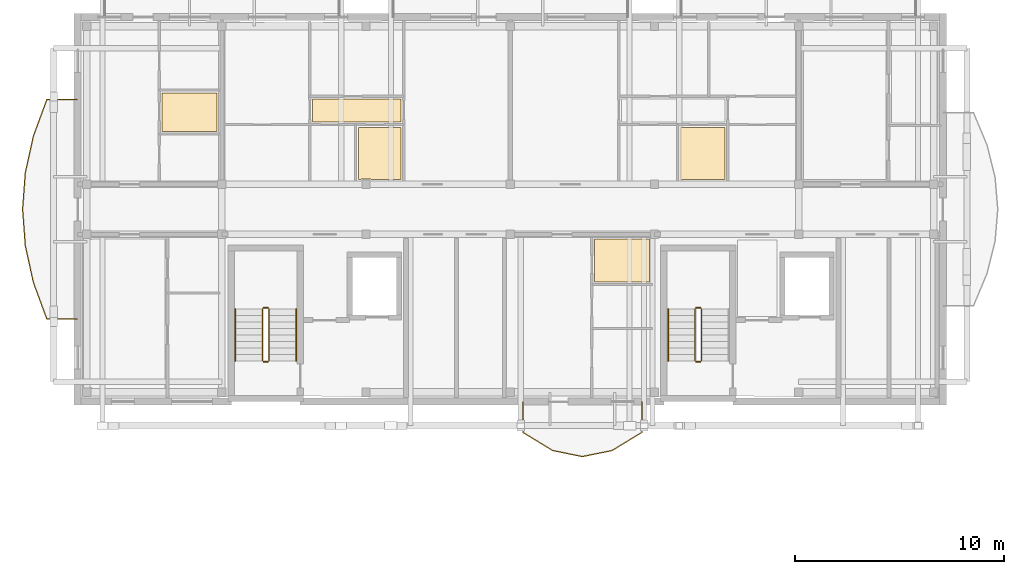
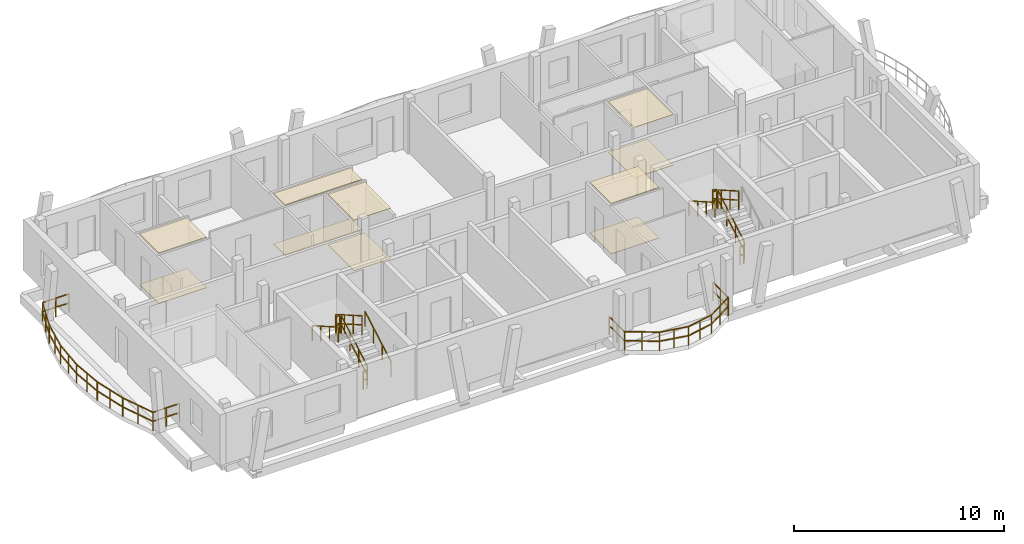
# One storey, part 36 of 41: 13 railings, 10 coverings.
"""IFC4 building model written with IfcOpenShell, lengths in metres."""

import ifcopenshell
import ifcopenshell.guid

model = None  # the IFC model being written
_history = None  # IfcOwnerHistory: only IFC2X3 demands one
_inside = {}  # id of a spatial element -> (the spatial element, [elements in it])
_under = {}  # id of a project, library or spatial element -> (it, [spatial elements below it])
_declared = {}  # id of a project -> (the project, [libraries it declares])
_typed = {}  # id of a type object -> (the type object, [elements of that type])
_made_of = {}  # id of a material, layer set ... -> (it, [elements and type objects made of it])


def new_model(schema):
    """Start an empty IFC model of exactly this schema.

    Asked for "IFC4X3", IfcOpenShell would pick the latest addendum, in which some entities
    have other attributes; the version numbers below select the first issue.
    IFC2X3 requires an IfcOwnerHistory on every rooted entity: one is made here for all.
    """
    global model, _history
    if schema == "IFC4X3":
        model = ifcopenshell.file(schema_version=(4, 3, 0, 0))
    else:
        model = ifcopenshell.file(schema=schema)
    _inside.clear()
    _under.clear()
    _declared.clear()
    _typed.clear()
    _made_of.clear()
    _history = None
    if model.schema == "IFC2X3":
        org = make("IfcOrganization", Name="unknown")
        user = make(
            "IfcPersonAndOrganization",
            ThePerson=make("IfcPerson", FamilyName="unknown"),
            TheOrganization=org,
        )
        app = make(
            "IfcApplication",
            ApplicationDeveloper=org,
            Version="unknown",
            ApplicationFullName="unknown",
            ApplicationIdentifier="unknown",
        )
        _history = make(
            "IfcOwnerHistory",
            OwningUser=user,
            OwningApplication=app,
            ChangeAction="ADDED",
            CreationDate=0,
        )
    return model


def make(cls, **values):
    """One entity of the class cls with the attributes given. An attribute that is None is left unset."""
    return model.create_entity(
        cls, **{name: value for name, value in values.items() if value is not None}
    )


def rooted(cls, **values):
    """An entity with a GlobalId (a new one), such as an element, a storey or a relation."""
    return make(cls, GlobalId=ifcopenshell.guid.new(), OwnerHistory=_history, **values)


def si_unit(unit_type, name, prefix=None):
    """IfcSIUnit, for example si_unit("LENGTHUNIT", "METRE", prefix="MILLI")."""
    return make("IfcSIUnit", UnitType=unit_type, Prefix=prefix, Name=name)


def assignment(units):
    """IfcUnitAssignment: the units of a project."""
    return None if units is None else make("IfcUnitAssignment", Units=units)


def point(xyz):
    """IfcCartesianPoint."""
    return None if xyz is None else make("IfcCartesianPoint", Coordinates=xyz)


def direction(xyz):
    """IfcDirection."""
    return None if xyz is None else make("IfcDirection", DirectionRatios=xyz)


def frame(location, z_axis=None, x_axis=None):
    """IfcAxis2Placement3D, a coordinate frame: its origin and axes. An axis left out is left unset."""
    return make(
        "IfcAxis2Placement3D",
        Location=point(location),
        Axis=direction(z_axis),
        RefDirection=direction(x_axis),
    )


def frame_2d(location, x_axis=None):
    """IfcAxis2Placement2D, a coordinate frame in the plane: its origin and x axis."""
    return make(
        "IfcAxis2Placement2D", Location=point(location), RefDirection=direction(x_axis)
    )


def origin():
    """The frame at (0, 0, 0) with its axes left unset."""
    return frame((0.0, 0.0, 0.0))


def origin_2d():
    """The frame at (0, 0) in the plane with its x axis left unset."""
    return frame_2d((0.0, 0.0))


def place(relative_to, where):
    """IfcLocalPlacement: puts the frame where relative to a parent placement (None: the world)."""
    return make(
        "IfcLocalPlacement", PlacementRelTo=relative_to, RelativePlacement=where
    )


def context(
    kind, dimensions, precision=None, world=None, true_north=None, identifier=None
):
    """IfcGeometricRepresentationContext, for example the 3D "Model" context."""
    return make(
        "IfcGeometricRepresentationContext",
        ContextIdentifier=identifier,
        ContextType=kind,
        CoordinateSpaceDimension=dimensions,
        Precision=precision,
        WorldCoordinateSystem=world,
        TrueNorth=true_north,
    )


def subcontext(parent, identifier, kind, view, scale=None):
    """IfcGeometricRepresentationSubContext, for example "Body" below "Model"."""
    return make(
        "IfcGeometricRepresentationSubContext",
        ContextIdentifier=identifier,
        ContextType=kind,
        ParentContext=parent,
        TargetScale=scale,
        TargetView=view,
    )


def project(units=None, contexts=None):
    """IfcProject with its units and contexts."""
    return rooted(
        "IfcProject",
        Name="project",
        RepresentationContexts=contexts,
        UnitsInContext=assignment(units),
    )


def spatial(cls, under=None, at=None, **own):
    """A site, building, storey or space (cls), placed at a placement, below another one or the project."""
    s = rooted(cls, ObjectPlacement=at, **own)
    if under is not None:
        _under.setdefault(under.id(), (under, []))[1].append(s)
    return s


def polyline(points):
    """IfcPolyline through the points."""
    return make("IfcPolyline", Points=[point(p) for p in points])


def profile(cls, at=None, kind="AREA", **sizes):
    """A parametric profile (cls). Its sizes go by their IFC names, for example OverallWidth=200.0."""
    return make(cls, ProfileType=kind, Position=at, **sizes)


def rectangle(**sizes):
    """IfcRectangleProfileDef."""
    return profile("IfcRectangleProfileDef", **sizes)


def outline(outer, holes=None, kind="AREA"):
    """IfcArbitraryClosedProfileDef: a profile drawn as a closed curve; with holes, ...WithVoids."""
    if holes is None:
        return make("IfcArbitraryClosedProfileDef", ProfileType=kind, OuterCurve=outer)
    return make(
        "IfcArbitraryProfileDefWithVoids",
        ProfileType=kind,
        OuterCurve=outer,
        InnerCurves=holes,
    )


def extrude(swept, where, along, depth):
    """IfcExtrudedAreaSolid: the profile swept, set in the frame where, extruded along a direction by depth."""
    return make(
        "IfcExtrudedAreaSolid",
        SweptArea=swept,
        Position=where,
        ExtrudedDirection=direction(along),
        Depth=depth,
    )


def shape(context_of_items, identifier, shape_type, items):
    """IfcShapeRepresentation: the items that make up one representation, for example the "Body"."""
    return make(
        "IfcShapeRepresentation",
        ContextOfItems=context_of_items,
        RepresentationIdentifier=identifier,
        RepresentationType=shape_type,
        Items=items,
    )


def material(Name=None, Category=None):
    """IfcMaterial."""
    return make("IfcMaterial", Name=Name, Category=Category)


def layer(
    of_material, thickness, ventilated=None, Name=None, Category=None, Priority=None
):
    """IfcMaterialLayer: one layer of a wall or slab, of a material (None: an air gap)."""
    return make(
        "IfcMaterialLayer",
        Material=of_material,
        LayerThickness=thickness,
        IsVentilated=ventilated,
        Name=Name,
        Category=Category,
        Priority=Priority,
    )


def layer_set(layers, Name=None):
    """IfcMaterialLayerSet."""
    return make("IfcMaterialLayerSet", MaterialLayers=layers, LayerSetName=Name)


def made_of(thing, what):
    """Note that an element or type object is made of a material, layer set ...; save() writes the relation."""
    if what is not None:
        _made_of.setdefault(what.id(), (what, []))[1].append(thing)
    return thing


def type_object(cls, material=None, **own):
    """A type object (cls), such as IfcWallType, which elements share."""
    return made_of(rooted(cls, **own), material)


def element(
    cls,
    number,
    at=None,
    inside=None,
    cuts=None,
    type_object=None,
    material=None,
    context=None,
    identifier="Body",
    shape_type=None,
    held_by="IfcProductDefinitionShape",
    body=None,
    shapes=None,
    **own,
):
    """One element of the class cls, such as IfcWall. Its Tag is "e" and its number.

    at: its placement. inside: the storey or other place that contains it. cuts: it is an
    opening in that element (IfcRelVoidsElement). A single representation is given by context,
    identifier, shape_type and body (its items); several are given by shapes. held_by: the class
    of the entity that holds the representations. save() writes the other relations.
    """
    e = rooted(cls, Tag="e%d" % number, ObjectPlacement=at, **own)
    if body is not None:
        shapes = [shape(context, identifier, shape_type, body)]
    if shapes is not None:
        e.Representation = make(held_by, Representations=shapes)
    if inside is not None:
        _inside.setdefault(inside.id(), (inside, []))[1].append(e)
    if cuts is not None:
        rooted(
            "IfcRelVoidsElement", RelatingBuildingElement=cuts, RelatedOpeningElement=e
        )
    if type_object is not None:
        _typed.setdefault(type_object.id(), (type_object, []))[1].append(e)
    return made_of(e, material)


def aggregate(whole, parts):
    """IfcRelAggregates: a whole, such as a stair, and the parts it consists of."""
    return rooted("IfcRelAggregates", RelatingObject=whole, RelatedObjects=parts)


def save(model, path):
    """Write the relations noted so far, then the file.

    IfcRelAggregates (storeys below a building ...), IfcRelContainedInSpatialStructure (elements
    in a storey), IfcRelDefinesByType, IfcRelAssociatesMaterial and IfcRelDeclares: one each for
    every whole, place, type object, material and project.
    """
    for whole, parts in _under.values():
        aggregate(whole, parts)
    for where, things in _inside.values():
        rooted(
            "IfcRelContainedInSpatialStructure",
            RelatedElements=things,
            RelatingStructure=where,
        )
    for kind, things in _typed.values():
        rooted("IfcRelDefinesByType", RelatedObjects=things, RelatingType=kind)
    for what, things in _made_of.values():
        rooted("IfcRelAssociatesMaterial", RelatedObjects=things, RelatingMaterial=what)
    for by, libraries in _declared.values():
        rooted("IfcRelDeclares", RelatingContext=by, RelatedDefinitions=libraries)
    model.write(path)


model = new_model("IFC4")

# Units and contexts
model_context = context("Model", 3, precision=1e-05, world=origin(), true_north=direction((0.0, 1.0)))
body_context = subcontext(model_context, "Body", "Model", "MODEL_VIEW")
ifc_project = project(units=[si_unit("LENGTHUNIT", "METRE"), si_unit("AREAUNIT", "SQUARE_METRE"), si_unit("VOLUMEUNIT", "CUBIC_METRE"), si_unit("PLANEANGLEUNIT", "RADIAN"), si_unit("MASSUNIT", "GRAM", prefix="KILO")], contexts=[model_context])

# Site, building, storey
site_placement = place(None, origin())
site = spatial("IfcSite", under=ifc_project, at=site_placement, CompositionType="ELEMENT")
building_placement = place(site_placement, origin())
building = spatial("IfcBuilding", under=site, at=building_placement, Name="Zavelmont Quarter", CompositionType="ELEMENT")
storey_placement = place(building_placement, frame((0.0, 0.0, 27.199951171875)))
storey = spatial("IfcBuildingStorey", under=building, at=storey_placement, Name="L08", CompositionType="ELEMENT", Elevation=27.199951171875)

# Coverings
ifc_material_1 = material(Name="Perforated acoustic gypsum board")
ifc_layer_1 = layer(ifc_material_1, 0.02490234375)
ifc_layer_set_1 = layer_set([ifc_layer_1], Name="Perforated acoustic gypsum board")
covering_type_1 = type_object("IfcCoveringType", Name="CV-CL01", PredefinedType="CEILING", material=ifc_layer_set_1)
covering_1_placement = place(storey_placement, frame((0.0, 0.0, 2.93505859375)))
element("IfcCovering", 1, at=covering_1_placement, inside=storey, type_object=covering_type_1, Name="L08 Kitchen acoustic ceiling", PredefinedType="CEILING", context=body_context, shape_type="SweptSolid", body=[
    extrude(outline(polyline([(13.429931640625, 110.719970703125), (15.469970703125, 110.719970703125), (15.469970703125, 108.22998046875), (14.0400390625, 108.22998046875), (14.0400390625, 108.239990234375), (13.56005859375, 108.239990234375), (13.56005859375, 108.22998046875), (13.429931640625, 108.22998046875), (13.429931640625, 110.719970703125)])), origin(), (0.0, 0.0, 1.0), 0.02490234375),
])
covering_2_placement = place(storey_placement, frame((0.0, 0.0, 2.93505859375)))
element("IfcCovering", 2, at=covering_2_placement, inside=storey, type_object=covering_type_1, Name="L08 Kitchen acoustic ceiling", PredefinedType="CEILING", context=body_context, shape_type="SweptSolid", body=[
    extrude(outline(polyline([(24.72998046875, 105.3701171875), (27.360107421875, 105.3701171875), (27.360107421875, 105.360107421875), (27.3701171875, 105.360107421875), (27.3701171875, 103.330078125), (24.72998046875, 103.330078125), (24.72998046875, 105.3701171875)])), origin(), (0.0, 0.0, 1.0), 0.02490234375),
])
ifc_material_2 = material(Name="Slatted European ash acoustic baffle ceiling")
ifc_layer_2 = layer(ifc_material_2, 0.0400390625)
ifc_layer_set_2 = layer_set([ifc_layer_2], Name="Slatted European ash acoustic baffle ceiling")
covering_type_2 = type_object("IfcCoveringType", Name="CV-CL02", PredefinedType="CEILING", material=ifc_layer_set_2)
covering_3_placement = place(storey_placement, frame((0.0, 0.0, 2.920166015625)))
element("IfcCovering", 3, at=covering_3_placement, inside=storey, type_object=covering_type_2, Name="L08 Apartment Hall acoustic ceiling", PredefinedType="CEILING", context=body_context, shape_type="SweptSolid", body=[
    extrude(outline(polyline([(11.22998046875, 112.070068359375), (15.469970703125, 112.070068359375), (15.469970703125, 110.97998046875), (11.22998046875, 110.97998046875), (11.22998046875, 112.070068359375)])), origin(), (0.0, 0.0, 1.0), 0.039794921875),
])
ifc_material_3 = material(Name="Moisture-resistant painted gypsum ceiling")
ifc_layer_3 = layer(ifc_material_3, 0.02001953125)
ifc_layer_set_3 = layer_set([ifc_layer_3], Name="Moisture-resistant painted gypsum ceiling")
covering_type_3 = type_object("IfcCoveringType", Name="CV-CL04", PredefinedType="CEILING", material=ifc_layer_set_3)
covering_4_placement = place(storey_placement, frame((0.0, 0.0, 2.93994140625)))
element("IfcCovering", 4, at=covering_4_placement, inside=storey, type_object=covering_type_3, Name="L08 Bathroom acoustic ceiling", PredefinedType="CEILING", context=body_context, shape_type="SweptSolid", body=[
    extrude(outline(polyline([(4.030029296875, 112.3701171875), (6.669921875, 112.3701171875), (6.669921875, 110.530029296875), (4.030029296875, 110.530029296875), (4.030029296875, 112.3701171875)])), origin(), (0.0, 0.0, 1.0), 0.02001953125),
])
covering_5_placement = place(storey_placement, frame((0.0, 0.0, 2.93994140625)))
element("IfcCovering", 5, at=covering_5_placement, inside=storey, type_object=covering_type_3, Name="L08 Bathroom acoustic ceiling", PredefinedType="CEILING", context=body_context, shape_type="SweptSolid", body=[
    extrude(outline(polyline([(28.830078125, 110.719970703125), (30.969970703125, 110.719970703125), (30.969970703125, 108.22998046875), (28.830078125, 108.22998046875), (28.830078125, 110.719970703125)])), origin(), (0.0, 0.0, 1.0), 0.02001953125),
])
ifc_material_4 = material(Name="Engineered European oak parquet")
ifc_layer_4 = layer(ifc_material_4, 0.02197265625)
ifc_layer_set_4 = layer_set([ifc_layer_4], Name="Engineered European oak parquet")
covering_type_4 = type_object("IfcCoveringType", Name="CV-FL01", PredefinedType="FLOORING", material=ifc_layer_set_4)
covering_6_placement = place(storey_placement, origin())
element("IfcCovering", 6, at=covering_6_placement, inside=storey, type_object=covering_type_4, Name="L08 Kitchen floor finish", PredefinedType="FLOORING", context=body_context, shape_type="SweptSolid", body=[
    extrude(outline(polyline([(13.429931640625, 110.719970703125), (15.469970703125, 110.719970703125), (15.469970703125, 108.22998046875), (14.0400390625, 108.22998046875), (14.0400390625, 108.239990234375), (13.56005859375, 108.239990234375), (13.56005859375, 108.22998046875), (13.429931640625, 108.22998046875), (13.429931640625, 110.719970703125)])), origin(), (0.0, 0.0, 1.0), 0.02197265625),
])
covering_7_placement = place(storey_placement, origin())
element("IfcCovering", 7, at=covering_7_placement, inside=storey, type_object=covering_type_4, Name="L08 Kitchen floor finish", PredefinedType="FLOORING", context=body_context, shape_type="SweptSolid", body=[
    extrude(outline(polyline([(24.72998046875, 105.3701171875), (27.360107421875, 105.3701171875), (27.360107421875, 105.360107421875), (27.3701171875, 105.360107421875), (27.3701171875, 103.330078125), (24.72998046875, 103.330078125), (24.72998046875, 105.3701171875)])), origin(), (0.0, 0.0, 1.0), 0.02197265625),
])
ifc_material_5 = material(Name="Honed Belgian bluestone tile", Category="masonry")
ifc_layer_5 = layer(ifc_material_5, 0.030029296875)
ifc_layer_set_5 = layer_set([ifc_layer_5], Name="Honed Belgian bluestone tile")
covering_type_5 = type_object("IfcCoveringType", Name="CV-FL02", PredefinedType="FLOORING", material=ifc_layer_set_5)
covering_8_placement = place(storey_placement, origin())
element("IfcCovering", 8, at=covering_8_placement, inside=storey, type_object=covering_type_5, Name="L08 Apartment Hall floor finish", PredefinedType="FLOORING", context=body_context, shape_type="SweptSolid", body=[
    extrude(outline(polyline([(11.22998046875, 112.070068359375), (15.469970703125, 112.070068359375), (15.469970703125, 110.97998046875), (11.22998046875, 110.97998046875), (11.22998046875, 112.070068359375)])), origin(), (0.0, 0.0, 1.0), 0.030029296875),
])
ifc_material_6 = material(Name="Slip-resistant porcelain tile")
ifc_layer_6 = layer(ifc_material_6, 0.02587890625)
ifc_layer_set_6 = layer_set([ifc_layer_6], Name="Slip-resistant porcelain tile")
covering_type_6 = type_object("IfcCoveringType", Name="CV-FL04", PredefinedType="FLOORING", material=ifc_layer_set_6)
covering_9_placement = place(storey_placement, origin())
element("IfcCovering", 9, at=covering_9_placement, inside=storey, type_object=covering_type_6, Name="L08 Bathroom floor finish", PredefinedType="FLOORING", context=body_context, shape_type="SweptSolid", body=[
    extrude(outline(polyline([(4.030029296875, 112.3701171875), (6.669921875, 112.3701171875), (6.669921875, 110.530029296875), (4.030029296875, 110.530029296875), (4.030029296875, 112.3701171875)])), origin(), (0.0, 0.0, 1.0), 0.026123046875),
])
covering_10_placement = place(storey_placement, origin())
element("IfcCovering", 10, at=covering_10_placement, inside=storey, type_object=covering_type_6, Name="L08 Bathroom floor finish", PredefinedType="FLOORING", context=body_context, shape_type="SweptSolid", body=[
    extrude(outline(polyline([(28.830078125, 110.719970703125), (30.969970703125, 110.719970703125), (30.969970703125, 108.22998046875), (28.830078125, 108.22998046875), (28.830078125, 110.719970703125)])), origin(), (0.0, 0.0, 1.0), 0.026123046875),
])

# Railings
ifc_material_7 = material(Name="Powder-coated steel and tempered double safety glass", Category="steel")
railing_type_1 = type_object("IfcRailingType", Name="RL-BAL1", PredefinedType="BALUSTRADE", material=ifc_material_7)
railing_1_placement = place(storey_placement, frame((-0.02001953125, 112.052978515625, 0.0)))
element("IfcRailing", 11, at=railing_1_placement, inside=storey, type_object=railing_type_1, Name="L08 Block B curved balcony guard RL-BAL1", PredefinedType="BALUSTRADE", context=body_context, shape_type="SweptSolid", body=[
    extrude(rectangle(XDim=0.048095703125, YDim=0.048095703125, at=origin_2d()), frame((0.0, 0.0, 1.076171875), z_axis=(-1.0, 0.0, 0.0), x_axis=(0.0, -1.0, 0.0)), (0.0, 0.0, 1.0), 1.456298828125),
    extrude(rectangle(XDim=0.048095703125, YDim=0.048095703125, at=origin_2d()), frame((0.0, 0.0, 0.550048828125), z_axis=(-1.0, 0.0, 0.0), x_axis=(0.0, -1.0, 0.0)), (0.0, 0.0, 1.0), 1.456298828125),
    extrude(rectangle(XDim=0.048095703125, YDim=0.048095703125, at=origin_2d()), frame((-1.456298828125, 0.0, 1.076171875), z_axis=(-0.345323300775, -0.938483786723, 0.0), x_axis=(0.938483786723, -0.345323300775, 0.0)), (0.0, 0.0, 1.0), 1.86572265625),
    extrude(rectangle(XDim=0.048095703125, YDim=0.048095703125, at=origin_2d()), frame((-1.456298828125, 0.0, 0.550048828125), z_axis=(-0.345323300775, -0.938483786723, 0.0), x_axis=(0.938483786723, -0.345323300775, 0.0)), (0.0, 0.0, 1.0), 1.86572265625),
    extrude(rectangle(XDim=0.048095703125, YDim=0.048095703125, at=origin_2d()), frame((-2.1005859375, -1.7509765625, 1.076171875), z_axis=(-0.215531853112, -0.976496810181, 0.0), x_axis=(0.976496810181, -0.215531853112, 0.0)), (0.0, 0.0, 1.0), 1.793212890625),
    extrude(rectangle(XDim=0.048095703125, YDim=0.048095703125, at=origin_2d()), frame((-2.1005859375, -1.7509765625, 0.550048828125), z_axis=(-0.215531853112, -0.976496810181, 0.0), x_axis=(0.976496810181, -0.215531853112, 0.0)), (0.0, 0.0, 1.0), 1.793212890625),
    extrude(rectangle(XDim=0.048095703125, YDim=0.048095703125, at=origin_2d()), frame((-2.487060546875, -3.501953125, 1.076171875), z_axis=(-0.073420935528, -0.997301040923, 0.0), x_axis=(0.997301040923, -0.073420935528, 0.0)), (0.0, 0.0, 1.0), 1.755615234375),
    extrude(rectangle(XDim=0.048095703125, YDim=0.048095703125, at=origin_2d()), frame((-2.487060546875, -3.501953125, 0.550048828125), z_axis=(-0.073420935528, -0.997301040923, 0.0), x_axis=(0.997301040923, -0.073420935528, 0.0)), (0.0, 0.0, 1.0), 1.755615234375),
    extrude(rectangle(XDim=0.048095703125, YDim=0.048095703125, at=origin_2d()), frame((-2.615966796875, -5.2529296875, 1.076171875), z_axis=(0.073420935528, -0.997301040923, 0.0), x_axis=(0.997301040923, 0.073420935528, 0.0)), (0.0, 0.0, 1.0), 1.755615234375),
    extrude(rectangle(XDim=0.048095703125, YDim=0.048095703125, at=origin_2d()), frame((-2.615966796875, -5.2529296875, 0.550048828125), z_axis=(0.073420935528, -0.997301040923, 0.0), x_axis=(0.997301040923, 0.073420935528, 0.0)), (0.0, 0.0, 1.0), 1.755615234375),
    extrude(rectangle(XDim=0.048095703125, YDim=0.048095703125, at=origin_2d()), frame((-2.487060546875, -7.00390625, 1.076171875), z_axis=(0.215531853112, -0.976496810181, 0.0), x_axis=(0.976496810181, 0.215531853112, 0.0)), (0.0, 0.0, 1.0), 1.793212890625),
    extrude(rectangle(XDim=0.048095703125, YDim=0.048095703125, at=origin_2d()), frame((-2.487060546875, -7.00390625, 0.550048828125), z_axis=(0.215531853112, -0.976496810181, 0.0), x_axis=(0.976496810181, 0.215531853112, 0.0)), (0.0, 0.0, 1.0), 1.793212890625),
    extrude(rectangle(XDim=0.048095703125, YDim=0.048095703125, at=origin_2d()), frame((-2.1005859375, -8.7548828125, 1.076171875), z_axis=(0.345323300775, -0.938483786723, 0.0), x_axis=(0.938483786723, 0.345323300775, 0.0)), (0.0, 0.0, 1.0), 1.86572265625),
    extrude(rectangle(XDim=0.048095703125, YDim=0.048095703125, at=origin_2d()), frame((-2.1005859375, -8.7548828125, 0.550048828125), z_axis=(0.345323300775, -0.938483786723, 0.0), x_axis=(0.938483786723, 0.345323300775, 0.0)), (0.0, 0.0, 1.0), 1.86572265625),
    extrude(rectangle(XDim=0.048095703125, YDim=0.048095703125, at=origin_2d()), frame((-1.456298828125, -10.505859375, 1.076171875), z_axis=(1.0, 0.0, 0.0), x_axis=(0.0, 1.0, 0.0)), (0.0, 0.0, 1.0), 1.456298828125),
    extrude(rectangle(XDim=0.048095703125, YDim=0.048095703125, at=origin_2d()), frame((-1.456298828125, -10.505859375, 0.550048828125), z_axis=(1.0, 0.0, 0.0), x_axis=(0.0, 1.0, 0.0)), (0.0, 0.0, 1.0), 1.456298828125),
    extrude(rectangle(XDim=0.0419921875, YDim=0.0419921875, at=origin_2d()), origin(), (0.0, 0.0, 1.0), 1.052001953125),
    extrude(rectangle(XDim=0.0419921875, YDim=0.0419921875, at=origin_2d()), frame((-0.72802734375, 0.0, 0.0)), (0.0, 0.0, 1.0), 1.052001953125),
    extrude(rectangle(XDim=0.0419921875, YDim=0.0419921875, at=origin_2d()), frame((-1.456298828125, 0.0, 0.0)), (0.0, 0.0, 1.0), 1.052001953125),
    extrude(rectangle(XDim=0.0419921875, YDim=0.0419921875, at=origin_2d()), frame((-1.7783203125, -0.87548828125, 0.0)), (0.0, 0.0, 1.0), 1.052001953125),
    extrude(rectangle(XDim=0.0419921875, YDim=0.0419921875, at=origin_2d()), frame((-2.1005859375, -1.7509765625, 0.0)), (0.0, 0.0, 1.0), 1.052001953125),
    extrude(rectangle(XDim=0.0419921875, YDim=0.0419921875, at=origin_2d()), frame((-2.2939453125, -2.62646484375, 0.0)), (0.0, 0.0, 1.0), 1.052001953125),
    extrude(rectangle(XDim=0.0419921875, YDim=0.0419921875, at=origin_2d()), frame((-2.487060546875, -3.501953125, 0.0)), (0.0, 0.0, 1.0), 1.052001953125),
    extrude(rectangle(XDim=0.0419921875, YDim=0.0419921875, at=origin_2d()), frame((-2.551513671875, -4.37744140625, 0.0)), (0.0, 0.0, 1.0), 1.052001953125),
    extrude(rectangle(XDim=0.0419921875, YDim=0.0419921875, at=origin_2d()), frame((-2.615966796875, -5.2529296875, 0.0)), (0.0, 0.0, 1.0), 1.052001953125),
    extrude(rectangle(XDim=0.0419921875, YDim=0.0419921875, at=origin_2d()), frame((-2.551513671875, -6.12841796875, 0.0)), (0.0, 0.0, 1.0), 1.052001953125),
    extrude(rectangle(XDim=0.0419921875, YDim=0.0419921875, at=origin_2d()), frame((-2.487060546875, -7.00390625, 0.0)), (0.0, 0.0, 1.0), 1.052001953125),
    extrude(rectangle(XDim=0.0419921875, YDim=0.0419921875, at=origin_2d()), frame((-2.2939453125, -7.87939453125, 0.0)), (0.0, 0.0, 1.0), 1.052001953125),
    extrude(rectangle(XDim=0.0419921875, YDim=0.0419921875, at=origin_2d()), frame((-2.1005859375, -8.7548828125, 0.0)), (0.0, 0.0, 1.0), 1.052001953125),
    extrude(rectangle(XDim=0.0419921875, YDim=0.0419921875, at=origin_2d()), frame((-1.7783203125, -9.63037109375, 0.0)), (0.0, 0.0, 1.0), 1.052001953125),
    extrude(rectangle(XDim=0.0419921875, YDim=0.0419921875, at=origin_2d()), frame((-1.456298828125, -10.505859375, 0.0)), (0.0, 0.0, 1.0), 1.052001953125),
    extrude(rectangle(XDim=0.0419921875, YDim=0.0419921875, at=origin_2d()), frame((-0.72802734375, -10.505859375, 0.0)), (0.0, 0.0, 1.0), 1.052001953125),
    extrude(rectangle(XDim=0.0419921875, YDim=0.0419921875, at=origin_2d()), frame((0.0, -10.505859375, 0.0)), (0.0, 0.0, 1.0), 1.052001953125),
])
railing_2_placement = place(storey_placement, frame((21.300048828125, 97.580078125, 0.0)))
element("IfcRailing", 12, at=railing_2_placement, inside=storey, type_object=railing_type_1, Name="L08 Block B curved balcony guard RL-BAL1", PredefinedType="BALUSTRADE", context=body_context, shape_type="SweptSolid", body=[
    extrude(rectangle(XDim=0.048095703125, YDim=0.048095703125, at=origin_2d()), frame((0.0, 0.0, 1.076171875), z_axis=(0.0, -1.0, 0.0), x_axis=(1.0, 0.0, 0.0)), (0.0, 0.0, 1.0), 1.456298828125),
    extrude(rectangle(XDim=0.048095703125, YDim=0.048095703125, at=origin_2d()), frame((0.0, 0.0, 0.550048828125), z_axis=(0.0, -1.0, 0.0), x_axis=(1.0, 0.0, 0.0)), (0.0, 0.0, 1.0), 1.456298828125),
    extrude(rectangle(XDim=0.048095703125, YDim=0.048095703125, at=origin_2d()), frame((0.0, -1.456298828125, 1.076171875), z_axis=(0.853545595951, -0.521018152882, 0.0), x_axis=(0.521018152882, 0.853545595951, 0.0)), (0.0, 0.0, 1.0), 1.669677734375),
    extrude(rectangle(XDim=0.048095703125, YDim=0.048095703125, at=origin_2d()), frame((0.0, -1.456298828125, 0.550048828125), z_axis=(0.853545595951, -0.521018152882, 0.0), x_axis=(0.521018152882, 0.853545595951, 0.0)), (0.0, 0.0, 1.0), 1.669677734375),
    extrude(rectangle(XDim=0.048095703125, YDim=0.048095703125, at=origin_2d()), frame((1.425048828125, -2.326171875, 1.076171875), z_axis=(0.979936106423, -0.199311884565, 0.0), x_axis=(0.199311884565, 0.979936106423, 0.0)), (0.0, 0.0, 1.0), 1.453857421875),
    extrude(rectangle(XDim=0.048095703125, YDim=0.048095703125, at=origin_2d()), frame((1.425048828125, -2.326171875, 0.550048828125), z_axis=(0.979936106423, -0.199311884565, 0.0), x_axis=(0.199311884565, 0.979936106423, 0.0)), (0.0, 0.0, 1.0), 1.453857421875),
    extrude(rectangle(XDim=0.048095703125, YDim=0.048095703125, at=origin_2d()), frame((2.849853515625, -2.615966796875, 1.076171875), z_axis=(0.979942775131, 0.199279094412, 0.0), x_axis=(-0.199279094412, 0.979942775131, 0.0)), (0.0, 0.0, 1.0), 1.4541015625),
    extrude(rectangle(XDim=0.048095703125, YDim=0.048095703125, at=origin_2d()), frame((2.849853515625, -2.615966796875, 0.550048828125), z_axis=(0.979942775131, 0.199279094412, 0.0), x_axis=(-0.199279094412, 0.979942775131, 0.0)), (0.0, 0.0, 1.0), 1.4541015625),
    extrude(rectangle(XDim=0.048095703125, YDim=0.048095703125, at=origin_2d()), frame((4.27490234375, -2.326171875, 1.076171875), z_axis=(0.853545595951, 0.521018152882, 0.0), x_axis=(-0.521018152882, 0.853545595951, 0.0)), (0.0, 0.0, 1.0), 1.669677734375),
    extrude(rectangle(XDim=0.048095703125, YDim=0.048095703125, at=origin_2d()), frame((4.27490234375, -2.326171875, 0.550048828125), z_axis=(0.853545595951, 0.521018152882, 0.0), x_axis=(-0.521018152882, 0.853545595951, 0.0)), (0.0, 0.0, 1.0), 1.669677734375),
    extrude(rectangle(XDim=0.048095703125, YDim=0.048095703125, at=origin_2d()), frame((5.699951171875, -1.456298828125, 1.076171875), z_axis=(0.0, 1.0, 0.0), x_axis=(-1.0, 0.0, 0.0)), (0.0, 0.0, 1.0), 1.456298828125),
    extrude(rectangle(XDim=0.048095703125, YDim=0.048095703125, at=origin_2d()), frame((5.699951171875, -1.456298828125, 0.550048828125), z_axis=(0.0, 1.0, 0.0), x_axis=(-1.0, 0.0, 0.0)), (0.0, 0.0, 1.0), 1.456298828125),
    extrude(rectangle(XDim=0.0419921875, YDim=0.0419921875, at=origin_2d()), origin(), (0.0, 0.0, 1.0), 1.052001953125),
    extrude(rectangle(XDim=0.0419921875, YDim=0.0419921875, at=origin_2d()), frame((0.0, -0.72802734375, 0.0)), (0.0, 0.0, 1.0), 1.052001953125),
    extrude(rectangle(XDim=0.0419921875, YDim=0.0419921875, at=origin_2d()), frame((0.0, -1.456298828125, 0.0)), (0.0, 0.0, 1.0), 1.052001953125),
    extrude(rectangle(XDim=0.0419921875, YDim=0.0419921875, at=origin_2d()), frame((0.71240234375, -1.89111328125, 0.0)), (0.0, 0.0, 1.0), 1.052001953125),
    extrude(rectangle(XDim=0.0419921875, YDim=0.0419921875, at=origin_2d()), frame((1.425048828125, -2.326171875, 0.0)), (0.0, 0.0, 1.0), 1.052001953125),
    extrude(rectangle(XDim=0.0419921875, YDim=0.0419921875, at=origin_2d()), frame((2.137451171875, -2.47119140625, 0.0)), (0.0, 0.0, 1.0), 1.052001953125),
    extrude(rectangle(XDim=0.0419921875, YDim=0.0419921875, at=origin_2d()), frame((2.849853515625, -2.615966796875, 0.0)), (0.0, 0.0, 1.0), 1.052001953125),
    extrude(rectangle(XDim=0.0419921875, YDim=0.0419921875, at=origin_2d()), frame((3.5625, -2.47119140625, 0.0)), (0.0, 0.0, 1.0), 1.052001953125),
    extrude(rectangle(XDim=0.0419921875, YDim=0.0419921875, at=origin_2d()), frame((4.27490234375, -2.326171875, 0.0)), (0.0, 0.0, 1.0), 1.052001953125),
    extrude(rectangle(XDim=0.0419921875, YDim=0.0419921875, at=origin_2d()), frame((4.9873046875, -1.89111328125, 0.0)), (0.0, 0.0, 1.0), 1.052001953125),
    extrude(rectangle(XDim=0.0419921875, YDim=0.0419921875, at=origin_2d()), frame((5.699951171875, -1.456298828125, 0.0)), (0.0, 0.0, 1.0), 1.052001953125),
    extrude(rectangle(XDim=0.0419921875, YDim=0.0419921875, at=origin_2d()), frame((5.699951171875, -0.72802734375, 0.0)), (0.0, 0.0, 1.0), 1.052001953125),
    extrude(rectangle(XDim=0.0419921875, YDim=0.0419921875, at=origin_2d()), frame((5.699951171875, 0.0, 0.0)), (0.0, 0.0, 1.0), 1.052001953125),
])
ifc_material_8 = material(Name="Powder-coated steel stair guardrail", Category="steel")
railing_type_2 = type_object("IfcRailingType", Name="RL-GRD1", PredefinedType="GUARDRAIL", material=ifc_material_8)
railing_3_placement = place(storey_placement, frame((9.14990234375, 99.550048828125, 0.177734375)))
element("IfcRailing", 13, at=railing_3_placement, inside=storey, type_object=railing_type_2, Name="L08 ST03 stair guardrail 1", PredefinedType="GUARDRAIL", context=body_context, shape_type="SweptSolid", body=[
    extrude(rectangle(XDim=0.048095703125, YDim=0.048095703125, at=origin_2d()), frame((0.0, 0.0, 1.076171875), z_axis=(0.0, 0.867453774394, 0.497517787913), x_axis=(-1.0, 0.0, 0.0)), (0.0, 0.0, 1.0), 2.85888671875),
    extrude(rectangle(XDim=0.048095703125, YDim=0.048095703125, at=origin_2d()), frame((0.0, 0.0, 0.550048828125), z_axis=(0.0, 0.867453774394, 0.497517787913), x_axis=(-1.0, 0.0, 0.0)), (0.0, 0.0, 1.0), 2.85888671875),
    extrude(rectangle(XDim=0.0419921875, YDim=0.0419921875, at=origin_2d()), origin(), (0.0, 0.0, 1.0), 1.052001953125),
    extrude(rectangle(XDim=0.0419921875, YDim=0.0419921875, at=origin_2d()), frame((0.0, 0.82666015625, 0.47412109375)), (0.0, 0.0, 1.0), 1.052001953125),
    extrude(rectangle(XDim=0.0419921875, YDim=0.0419921875, at=origin_2d()), frame((0.0, 1.6533203125, 0.9482421875)), (0.0, 0.0, 1.0), 1.052001953125),
    extrude(rectangle(XDim=0.0419921875, YDim=0.0419921875, at=origin_2d()), frame((0.0, 2.47998046875, 1.42236328125)), (0.0, 0.0, 1.0), 1.052001953125),
])
railing_4_placement = place(storey_placement, frame((9.10009765625, 102.080078125, 1.60009765625)))
element("IfcRailing", 14, at=railing_4_placement, inside=storey, type_object=railing_type_2, Name="L08 ST03 stair guardrail 2", PredefinedType="GUARDRAIL", context=body_context, shape_type="SweptSolid", body=[
    extrude(rectangle(XDim=0.048095703125, YDim=0.048095703125, at=origin_2d()), frame((0.0, 0.0, 1.076171875), z_axis=(-1.0, 0.0, 0.0), x_axis=(0.0, -1.0, 0.0)), (0.0, 0.0, 1.0), 0.2001953125),
    extrude(rectangle(XDim=0.048095703125, YDim=0.048095703125, at=origin_2d()), frame((0.0, 0.0, 0.550048828125), z_axis=(-1.0, 0.0, 0.0), x_axis=(0.0, -1.0, 0.0)), (0.0, 0.0, 1.0), 0.2001953125),
    extrude(rectangle(XDim=0.0419921875, YDim=0.0419921875, at=origin_2d()), origin(), (0.0, 0.0, 1.0), 1.052001953125),
    extrude(rectangle(XDim=0.0419921875, YDim=0.0419921875, at=origin_2d()), frame((-0.2001953125, 0.0, 0.0)), (0.0, 0.0, 1.0), 1.052001953125),
])
railing_5_placement = place(storey_placement, frame((8.85009765625, 102.030029296875, 1.77783203125)))
element("IfcRailing", 15, at=railing_5_placement, inside=storey, type_object=railing_type_2, Name="L08 ST03 stair guardrail 3", PredefinedType="GUARDRAIL", context=body_context, shape_type="SweptSolid", body=[
    extrude(rectangle(XDim=0.048095703125, YDim=0.048095703125, at=origin_2d()), frame((0.0, 0.0, 1.076171875), z_axis=(0.0, -0.867490628297, 0.497453525283), x_axis=(1.0, 0.0, 0.0)), (0.0, 0.0, 1.0), 2.85888671875),
    extrude(rectangle(XDim=0.048095703125, YDim=0.048095703125, at=origin_2d()), frame((0.0, 0.0, 0.550048828125), z_axis=(0.0, -0.867490628297, 0.497453525283), x_axis=(1.0, 0.0, 0.0)), (0.0, 0.0, 1.0), 2.85888671875),
    extrude(rectangle(XDim=0.0419921875, YDim=0.0419921875, at=origin_2d()), origin(), (0.0, 0.0, 1.0), 1.052001953125),
    extrude(rectangle(XDim=0.0419921875, YDim=0.0419921875, at=origin_2d()), frame((0.0, -0.82666015625, 0.47412109375)), (0.0, 0.0, 1.0), 1.052001953125),
    extrude(rectangle(XDim=0.0419921875, YDim=0.0419921875, at=origin_2d()), frame((0.0, -1.6533203125, 0.947998046875)), (0.0, 0.0, 1.0), 1.052001953125),
    extrude(rectangle(XDim=0.0419921875, YDim=0.0419921875, at=origin_2d()), frame((0.0, -2.47998046875, 1.422119140625)), (0.0, 0.0, 1.0), 1.052001953125),
])
railing_6_placement = place(storey_placement, frame((9.10009765625, 99.5, 0.0)))
element("IfcRailing", 16, at=railing_6_placement, inside=storey, type_object=railing_type_2, Name="L08 ST03 stair guardrail 4", PredefinedType="GUARDRAIL", context=body_context, shape_type="SweptSolid", body=[
    extrude(rectangle(XDim=0.048095703125, YDim=0.048095703125, at=origin_2d()), frame((0.0, 0.0, 1.076171875), z_axis=(-1.0, 0.0, 0.0), x_axis=(0.0, -1.0, 0.0)), (0.0, 0.0, 1.0), 0.2001953125),
    extrude(rectangle(XDim=0.048095703125, YDim=0.048095703125, at=origin_2d()), frame((0.0, 0.0, 0.550048828125), z_axis=(-1.0, 0.0, 0.0), x_axis=(0.0, -1.0, 0.0)), (0.0, 0.0, 1.0), 0.2001953125),
    extrude(rectangle(XDim=0.0419921875, YDim=0.0419921875, at=origin_2d()), origin(), (0.0, 0.0, 1.0), 1.052001953125),
    extrude(rectangle(XDim=0.0419921875, YDim=0.0419921875, at=origin_2d()), frame((-0.2001953125, 0.0, 0.0)), (0.0, 0.0, 1.0), 1.052001953125),
])
railing_7_placement = place(storey_placement, frame((29.85009765625, 99.550048828125, 0.177734375)))
element("IfcRailing", 17, at=railing_7_placement, inside=storey, type_object=railing_type_2, Name="L08 ST04 stair guardrail 1", PredefinedType="GUARDRAIL", context=body_context, shape_type="SweptSolid", body=[
    extrude(rectangle(XDim=0.048095703125, YDim=0.048095703125, at=origin_2d()), frame((0.0, 0.0, 1.076171875), z_axis=(0.0, 0.867453774394, 0.497517787913), x_axis=(-1.0, 0.0, 0.0)), (0.0, 0.0, 1.0), 2.85888671875),
    extrude(rectangle(XDim=0.048095703125, YDim=0.048095703125, at=origin_2d()), frame((0.0, 0.0, 0.550048828125), z_axis=(0.0, 0.867453774394, 0.497517787913), x_axis=(-1.0, 0.0, 0.0)), (0.0, 0.0, 1.0), 2.85888671875),
    extrude(rectangle(XDim=0.0419921875, YDim=0.0419921875, at=origin_2d()), origin(), (0.0, 0.0, 1.0), 1.052001953125),
    extrude(rectangle(XDim=0.0419921875, YDim=0.0419921875, at=origin_2d()), frame((0.0, 0.82666015625, 0.47412109375)), (0.0, 0.0, 1.0), 1.052001953125),
    extrude(rectangle(XDim=0.0419921875, YDim=0.0419921875, at=origin_2d()), frame((0.0, 1.6533203125, 0.9482421875)), (0.0, 0.0, 1.0), 1.052001953125),
    extrude(rectangle(XDim=0.0419921875, YDim=0.0419921875, at=origin_2d()), frame((0.0, 2.47998046875, 1.42236328125)), (0.0, 0.0, 1.0), 1.052001953125),
])
railing_8_placement = place(storey_placement, frame((29.800048828125, 102.080078125, 1.60009765625)))
element("IfcRailing", 18, at=railing_8_placement, inside=storey, type_object=railing_type_2, Name="L08 ST04 stair guardrail 2", PredefinedType="GUARDRAIL", context=body_context, shape_type="SweptSolid", body=[
    extrude(rectangle(XDim=0.048095703125, YDim=0.048095703125, at=origin_2d()), frame((0.0, 0.0, 1.076171875), z_axis=(-1.0, 0.0, 0.0), x_axis=(0.0, -1.0, 0.0)), (0.0, 0.0, 1.0), 0.199951171875),
    extrude(rectangle(XDim=0.048095703125, YDim=0.048095703125, at=origin_2d()), frame((0.0, 0.0, 0.550048828125), z_axis=(-1.0, 0.0, 0.0), x_axis=(0.0, -1.0, 0.0)), (0.0, 0.0, 1.0), 0.199951171875),
    extrude(rectangle(XDim=0.0419921875, YDim=0.0419921875, at=origin_2d()), origin(), (0.0, 0.0, 1.0), 1.052001953125),
    extrude(rectangle(XDim=0.0419921875, YDim=0.0419921875, at=origin_2d()), frame((-0.199951171875, 0.0, 0.0)), (0.0, 0.0, 1.0), 1.052001953125),
])
railing_9_placement = place(storey_placement, frame((29.550048828125, 102.030029296875, 1.77783203125)))
element("IfcRailing", 19, at=railing_9_placement, inside=storey, type_object=railing_type_2, Name="L08 ST04 stair guardrail 3", PredefinedType="GUARDRAIL", context=body_context, shape_type="SweptSolid", body=[
    extrude(rectangle(XDim=0.048095703125, YDim=0.048095703125, at=origin_2d()), frame((0.0, 0.0, 1.076171875), z_axis=(0.0, -0.867490628297, 0.497453525283), x_axis=(1.0, 0.0, 0.0)), (0.0, 0.0, 1.0), 2.85888671875),
    extrude(rectangle(XDim=0.048095703125, YDim=0.048095703125, at=origin_2d()), frame((0.0, 0.0, 0.550048828125), z_axis=(0.0, -0.867490628297, 0.497453525283), x_axis=(1.0, 0.0, 0.0)), (0.0, 0.0, 1.0), 2.85888671875),
    extrude(rectangle(XDim=0.0419921875, YDim=0.0419921875, at=origin_2d()), origin(), (0.0, 0.0, 1.0), 1.052001953125),
    extrude(rectangle(XDim=0.0419921875, YDim=0.0419921875, at=origin_2d()), frame((0.0, -0.82666015625, 0.47412109375)), (0.0, 0.0, 1.0), 1.052001953125),
    extrude(rectangle(XDim=0.0419921875, YDim=0.0419921875, at=origin_2d()), frame((0.0, -1.6533203125, 0.947998046875)), (0.0, 0.0, 1.0), 1.052001953125),
    extrude(rectangle(XDim=0.0419921875, YDim=0.0419921875, at=origin_2d()), frame((0.0, -2.47998046875, 1.422119140625)), (0.0, 0.0, 1.0), 1.052001953125),
])
railing_10_placement = place(storey_placement, frame((29.800048828125, 99.5, 0.0)))
element("IfcRailing", 20, at=railing_10_placement, inside=storey, type_object=railing_type_2, Name="L08 ST04 stair guardrail 4", PredefinedType="GUARDRAIL", context=body_context, shape_type="SweptSolid", body=[
    extrude(rectangle(XDim=0.048095703125, YDim=0.048095703125, at=origin_2d()), frame((0.0, 0.0, 1.076171875), z_axis=(-1.0, 0.0, 0.0), x_axis=(0.0, -1.0, 0.0)), (0.0, 0.0, 1.0), 0.199951171875),
    extrude(rectangle(XDim=0.048095703125, YDim=0.048095703125, at=origin_2d()), frame((0.0, 0.0, 0.550048828125), z_axis=(-1.0, 0.0, 0.0), x_axis=(0.0, -1.0, 0.0)), (0.0, 0.0, 1.0), 0.199951171875),
    extrude(rectangle(XDim=0.0419921875, YDim=0.0419921875, at=origin_2d()), origin(), (0.0, 0.0, 1.0), 1.052001953125),
    extrude(rectangle(XDim=0.0419921875, YDim=0.0419921875, at=origin_2d()), frame((-0.199951171875, 0.0, 0.0)), (0.0, 0.0, 1.0), 1.052001953125),
])
ifc_material_9 = material(Name="Brushed stainless-steel wall handrail", Category="steel")
railing_type_3 = type_object("IfcRailingType", Name="RL-HND1", PredefinedType="HANDRAIL", material=ifc_material_9)
railing_11_placement = place(storey_placement, frame((10.449951171875, 99.550048828125, 0.177734375)))
element("IfcRailing", 21, at=railing_11_placement, inside=storey, type_object=railing_type_3, Name="L08 ST03 stair handrail 1", PredefinedType="HANDRAIL", context=body_context, shape_type="SweptSolid", body=[
    extrude(rectangle(XDim=0.048095703125, YDim=0.048095703125, at=origin_2d()), frame((0.0, 0.0, 0.8759765625), z_axis=(0.0, 0.867453774394, 0.497517787913), x_axis=(-1.0, 0.0, 0.0)), (0.0, 0.0, 1.0), 2.85888671875),
    extrude(rectangle(XDim=0.0419921875, YDim=0.0419921875, at=origin_2d()), origin(), (0.0, 0.0, 1.0), 0.851806640625),
    extrude(rectangle(XDim=0.0419921875, YDim=0.0419921875, at=origin_2d()), frame((0.0, 0.82666015625, 0.47412109375)), (0.0, 0.0, 1.0), 0.851806640625),
    extrude(rectangle(XDim=0.0419921875, YDim=0.0419921875, at=origin_2d()), frame((0.0, 1.6533203125, 0.9482421875)), (0.0, 0.0, 1.0), 0.851806640625),
    extrude(rectangle(XDim=0.0419921875, YDim=0.0419921875, at=origin_2d()), frame((0.0, 2.47998046875, 1.42236328125)), (0.0, 0.0, 1.0), 0.851806640625),
])
for number, where, name in (
    (22, (7.550048828125, 102.030029296875, 1.77783203125), "L08 ST03 stair handrail 2"),
    (23, (28.25, 102.030029296875, 1.77783203125), "L08 ST04 stair handrail 2"),
):
    element("IfcRailing", number, at=place(storey_placement, frame(where)), inside=storey, type_object=railing_type_3, Name=name, PredefinedType="HANDRAIL", context=body_context, shape_type="SweptSolid", body=[
        extrude(rectangle(XDim=0.048095703125, YDim=0.048095703125, at=origin_2d()), frame((0.0, 0.0, 0.8759765625), z_axis=(0.0, -0.867490628297, 0.497453525283), x_axis=(1.0, 0.0, 0.0)), (0.0, 0.0, 1.0), 2.85888671875),
        extrude(rectangle(XDim=0.0419921875, YDim=0.0419921875, at=origin_2d()), origin(), (0.0, 0.0, 1.0), 0.851806640625),
        extrude(rectangle(XDim=0.0419921875, YDim=0.0419921875, at=origin_2d()), frame((0.0, -0.82666015625, 0.47412109375)), (0.0, 0.0, 1.0), 0.851806640625),
        extrude(rectangle(XDim=0.0419921875, YDim=0.0419921875, at=origin_2d()), frame((0.0, -1.6533203125, 0.947998046875)), (0.0, 0.0, 1.0), 0.851806640625),
        extrude(rectangle(XDim=0.0419921875, YDim=0.0419921875, at=origin_2d()), frame((0.0, -2.47998046875, 1.422119140625)), (0.0, 0.0, 1.0), 0.851806640625),
    ])

save(model, "model.ifc")
